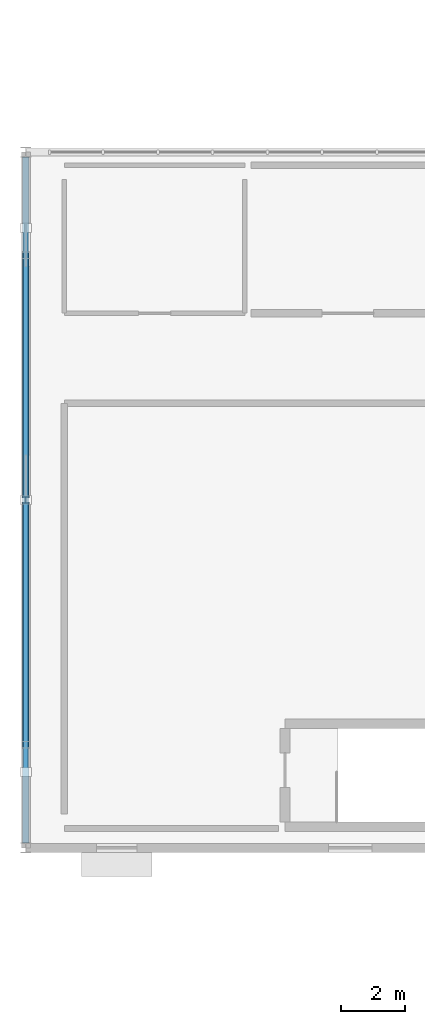
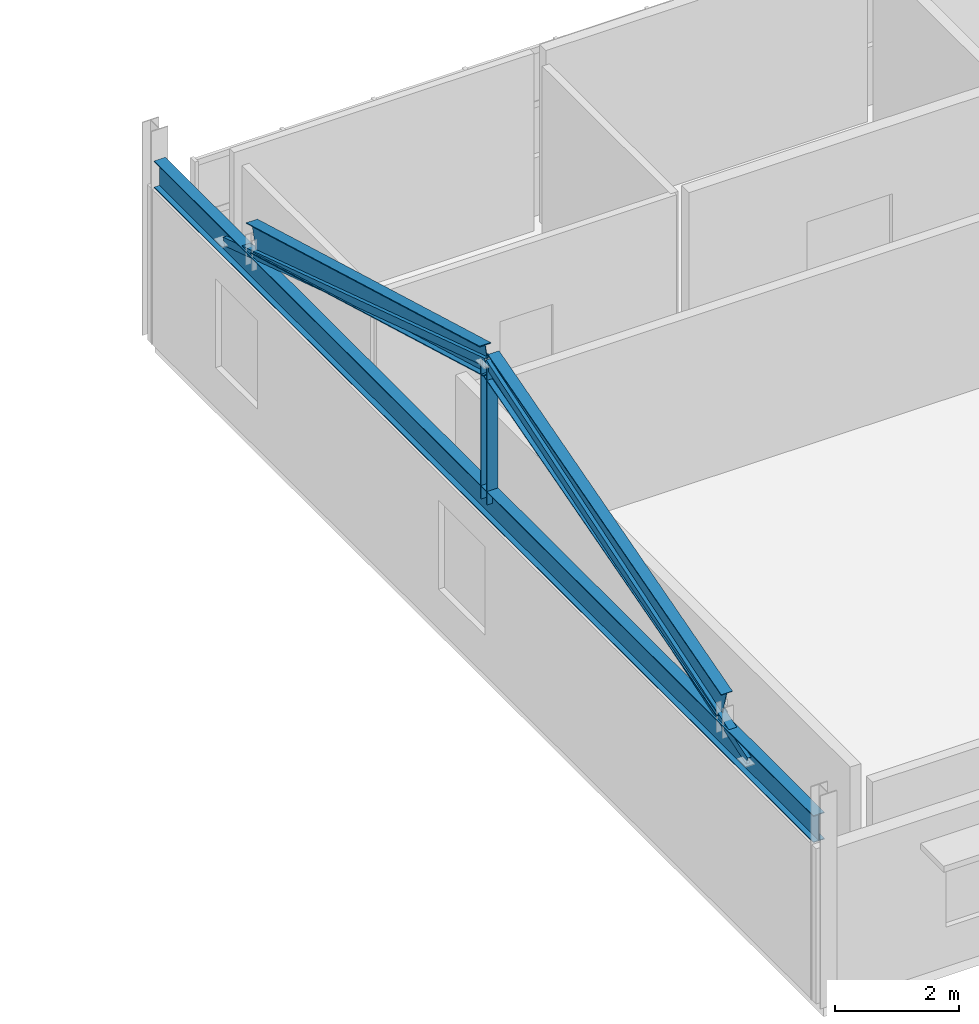
# One storey, part 12 of 90: 3 beams, 3 members.
"""IFC4 building model written with IfcOpenShell, lengths in metres."""

from ifc_helpers import new_model, si_unit, direction, frame, origin, origin_2d, place, context, subcontext, project, spatial, hollow_rectangle, i_section, extrude, material, material_profile, profile_set, type_object, element, save


model = new_model("IFC4")

# Units and contexts
model_context = context("Model", 3, precision=1e-05, world=origin(), true_north=direction((0.0, 1.0)))
body_context = subcontext(model_context, "Body", "Model", "MODEL_VIEW")
ifc_project = project(units=[si_unit("LENGTHUNIT", "METRE"), si_unit("AREAUNIT", "SQUARE_METRE"), si_unit("VOLUMEUNIT", "CUBIC_METRE"), si_unit("PLANEANGLEUNIT", "RADIAN"), si_unit("MASSUNIT", "GRAM", prefix="KILO")], contexts=[model_context])

# Site, building, storey
site_placement = place(None, origin())
site = spatial("IfcSite", under=ifc_project, at=site_placement, CompositionType="ELEMENT")
building_placement = place(site_placement, origin())
building = spatial("IfcBuilding", under=site, at=building_placement, Name="Solanera Park Tramway Depot", CompositionType="ELEMENT")
storey_placement = place(building_placement, frame((0.0, 0.0, 9.0)))
storey = spatial("IfcBuildingStorey", under=building, at=storey_placement, Name="L02", CompositionType="ELEMENT", Elevation=9.0)

# Member
ifc_material_1 = material(Name="Steel AS/NZS 3679.1 Grade 350", Category="steel")
ifc_material_profile_1 = material_profile(ifc_material_1, i_section(OverallWidth=0.205078125, OverallDepth=0.209716796875, WebThickness=0.00927734375, FlangeThickness=0.01416015625, at=origin_2d()), Name="200UC59.5")
ifc_profile_set_1 = profile_set([ifc_material_profile_1], Name="Steel AS/NZS 3679.1 Grade 350")
member_type_1 = type_object("IfcMemberType", Name="Roof Gantry Compression Strut 200UC59.5", PredefinedType="STRUT", material=ifc_profile_set_1)
member_1_placement = place(storey_placement, frame((0.0, 21.60009765625, 3.33837890625), z_axis=(0.0, 0.0, 1.0), x_axis=(1.0, 0.0, 0.0)))
element("IfcMember", 1, at=member_1_placement, inside=storey, type_object=member_type_1, Name="Hip ROOF TRUSS King Post #0103", PredefinedType="STRUT", context=body_context, shape_type="SweptSolid", body=[
    extrude(i_section(OverallWidth=0.205078125, OverallDepth=0.209716796875, WebThickness=0.00927734375, FlangeThickness=0.01416015625, at=origin_2d()), origin(), (0.0, 0.0, 1.0), 2.7314453125),
])

# Beams
ifc_material_2 = material(Name="Steel AS/NZS 3679.1 Grade 350", Category="steel")
ifc_material_profile_2 = material_profile(ifc_material_2, i_section(OverallWidth=0.209228515625, OverallDepth=0.532958984375, WebThickness=0.01025390625, FlangeThickness=0.015625, at=origin_2d()), Name="530UB92.4")
ifc_profile_set_2 = profile_set([ifc_material_profile_2], Name="Steel AS/NZS 3679.1 Grade 350")
beam_type = type_object("IfcBeamType", Name="Steel Beam 530UB92.4", PredefinedType="BEAM", material=ifc_profile_set_2)
beam_placement = place(storey_placement, frame((0.0, 10.953369140625, 3.33837890625), z_axis=(0.0, 1.0, 0.0), x_axis=(-1.0, 0.0, 0.0)))
element("IfcBeam", 2, at=beam_placement, inside=storey, type_object=beam_type, Name="L02 Hip ROOF TRUSS Tie 530UB92.4 #1041", PredefinedType="BEAM", context=body_context, shape_type="SweptSolid", body=[
    extrude(i_section(OverallWidth=0.209228515625, OverallDepth=0.532958984375, WebThickness=0.01025390625, FlangeThickness=0.015625, at=origin_2d()), origin(), (0.0, 0.0, 1.0), 21.293212890625),
])
for number, where, z_axis, x_axis, name in (
    (3, (0.0, 14.0, 3.931396484375), (0.0, 0.962056976325, 0.272848628922), (-1.0, 0.0, 0.0), "L02 Hip ROOF TRUSS Rafter 530UB92.4 #1042"),
    (4, (0.0, 21.659912109375, 6.06982421875), (0.0, 0.962056976325, -0.272848628922), (-1.0, 0.0, 0.0), "L02 Hip ROOF TRUSS Rafter 530UB92.4 #1043"),
):
    element("IfcBeam", number, at=place(storey_placement, frame(where, z_axis=z_axis, x_axis=x_axis)), inside=storey, type_object=beam_type, Name=name, PredefinedType="BEAM", context=body_context, shape_type="SweptSolid", body=[
        extrude(i_section(OverallWidth=0.209228515625, OverallDepth=0.532958984375, WebThickness=0.01025390625, FlangeThickness=0.015625, at=origin_2d()), origin(), (0.0, 0.0, 1.0), 7.83740234375),
    ])

# Members
ifc_material_3 = material(Name="Steel AS/NZS 1163 Grade C350L0", Category="steel")
ifc_material_profile_3 = material_profile(ifc_material_3, hollow_rectangle(XDim=0.14990234375, YDim=0.14990234375, WallThickness=0.006103515625, at=origin_2d()), Name="150x150x6.0 SHS")
ifc_profile_set_3 = profile_set([ifc_material_profile_3], Name="Steel AS/NZS 1163 Grade C350L0")
member_type_2 = type_object("IfcMemberType", Name="Truss and Frame Brace 150x150x6.0 SHS", PredefinedType="BRACE", material=ifc_profile_set_3)
member_2_placement = place(storey_placement, frame((0.0, 13.1533203125, 3.33837890625), z_axis=(0.0, 0.951488571122, 0.30768408965), x_axis=(-1.0, 0.0, 0.0)))
element("IfcMember", 5, at=member_2_placement, inside=storey, type_object=member_type_2, Name="Hip ROOF TRUSS Web #0435", PredefinedType="BRACE", context=body_context, shape_type="SweptSolid", body=[
    extrude(hollow_rectangle(XDim=0.14990234375, YDim=0.14990234375, WallThickness=0.006103515625, at=origin_2d()), origin(), (0.0, 0.0, 1.0), 8.87744140625),
])
member_3_placement = place(storey_placement, frame((0.0, 30.046630859375, 3.33837890625), z_axis=(0.0, -0.95148596749, 0.307692141061), x_axis=(1.0, 0.0, 0.0)))
element("IfcMember", 6, at=member_3_placement, inside=storey, type_object=member_type_2, Name="Hip ROOF TRUSS Web #0436", PredefinedType="BRACE", context=body_context, shape_type="SweptSolid", body=[
    extrude(hollow_rectangle(XDim=0.14990234375, YDim=0.14990234375, WallThickness=0.006103515625, at=origin_2d()), origin(), (0.0, 0.0, 1.0), 8.877197265625),
])

save(model, "model.ifc")
